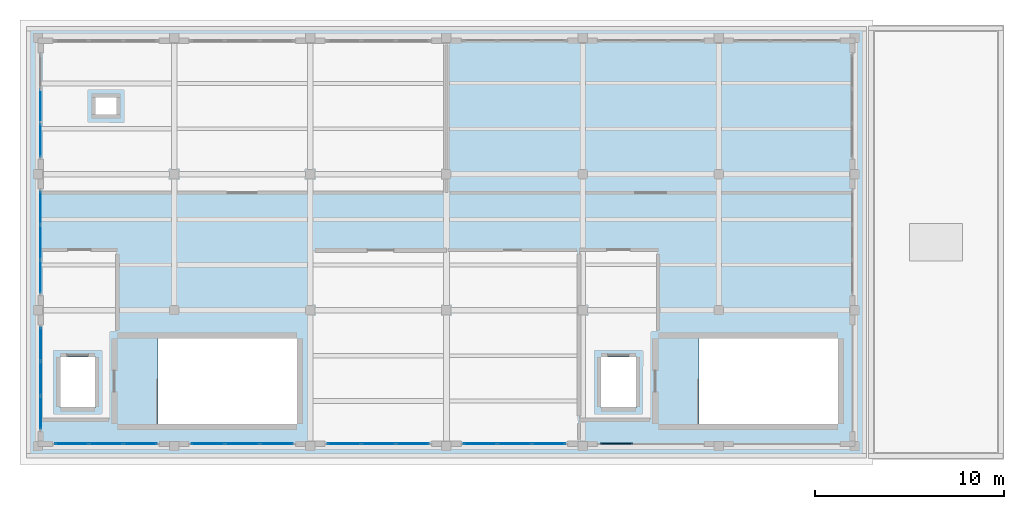
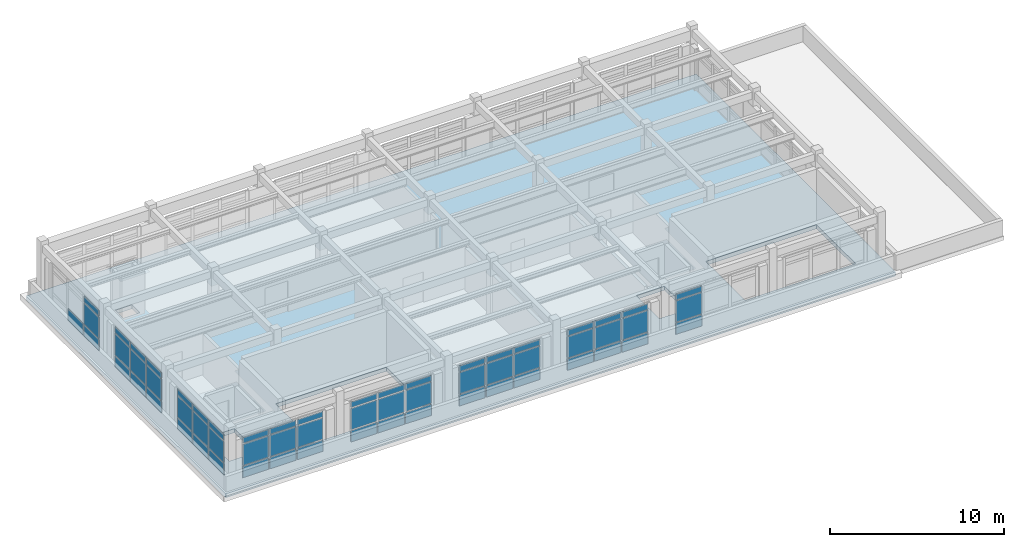
# One storey, part 8 of 12: 61 plates, 1 slab, 8 elements without a shape of their own.
"""IFC4 building model written with IfcOpenShell, lengths in metres."""

from ifc_helpers import new_model, si_unit, direction, frame, origin, origin_2d, place, context, subcontext, project, spatial, polyline, rectangle, outline, extrude, material, layer, layer_set, type_object, element, aggregate, save


model = new_model("IFC4")

# Units and contexts
model_context = context("Model", 3, precision=1e-05, world=origin(), true_north=direction((0.0, 1.0)))
body_context = subcontext(model_context, "Body", "Model", "MODEL_VIEW")
ifc_project = project(units=[si_unit("LENGTHUNIT", "METRE"), si_unit("AREAUNIT", "SQUARE_METRE"), si_unit("VOLUMEUNIT", "CUBIC_METRE"), si_unit("PLANEANGLEUNIT", "RADIAN"), si_unit("MASSUNIT", "GRAM", prefix="KILO")], contexts=[model_context])

# Site, building, storey
site_placement = place(None, origin())
site = spatial("IfcSite", under=ifc_project, at=site_placement, CompositionType="ELEMENT")
building_placement = place(site_placement, origin())
building = spatial("IfcBuilding", under=site, at=building_placement, Name="Solenvale Faculty of Natural Sciences", CompositionType="ELEMENT")
storey_placement = place(building_placement, frame((0.0, 0.0, 52.199951171875)))
storey = spatial("IfcBuildingStorey", under=building, at=storey_placement, Name="RF", CompositionType="ELEMENT", Elevation=52.199951171875)

# Curtain wall, plates
ifc_material_1 = material(Name="Anodised bronze aluminium", Category="aluminium")
ifc_layer_1 = layer(ifc_material_1, 0.179931640625)
ifc_layer_set_1 = layer_set([ifc_layer_1], Name="Anodised bronze aluminium")
curtain_wall_type = type_object("IfcCurtainWallType", Name="CW-TWR-MOD", PredefinedType="USERDEFINED", material=ifc_layer_set_1)
curtain_wall_1_placement = place(storey_placement, origin())
curtain_wall_1 = element("IfcCurtainWall", 1, at=curtain_wall_1_placement, inside=storey, type_object=curtain_wall_type, Name="RF Curtain Wall CW-RF-P1-E3-B1", ObjectType="UNITISED CURTAIN WALL", PredefinedType="USERDEFINED")
ifc_material_2 = material(Name="Triple low-E insulated glass", Category="glass")
ifc_layer_2 = layer(ifc_material_2, 0.031982421875)
ifc_layer_set_2 = layer_set([ifc_layer_2], Name="Triple low-E insulated glass")
plate_type_1 = type_object("IfcPlateType", Name="CWP-PNL-32", PredefinedType="CURTAIN_PANEL", material=ifc_layer_set_2)
plate_1_placement = place(storey_placement, frame((100.9423828125, 111.60009765625, 0.074951171875), z_axis=(0.0, 0.0, 1.0), x_axis=(0.0, -1.0, 0.0)))
plate_1 = element("IfcPlate", 2, at=plate_1_placement, type_object=plate_type_1, Name="CW-04 panel 2.1", PredefinedType="CURTAIN_PANEL", context=body_context, shape_type="SweptSolid", body=[
    extrude(rectangle(XDim=1.75830078125, YDim=0.031982421875, at=origin_2d()), origin(), (0.0, 0.0, 1.0), 0.78759765625),
])
plate_2_placement = place(storey_placement, frame((100.9423828125, 109.785400390625, 0.074951171875), z_axis=(0.0, 0.0, 1.0), x_axis=(0.0, -1.0, 0.0)))
plate_2 = element("IfcPlate", 3, at=plate_2_placement, type_object=plate_type_1, Name="CW-04 panel 3.1", PredefinedType="CURTAIN_PANEL", context=body_context, shape_type="SweptSolid", body=[
    extrude(rectangle(XDim=1.720947265625, YDim=0.031982421875, at=origin_2d()), origin(), (0.0, 0.0, 1.0), 0.78759765625),
])
plate_3_placement = place(storey_placement, frame((100.9423828125, 109.785400390625, 0.9375), z_axis=(0.0, 0.0, 1.0), x_axis=(0.0, -1.0, 0.0)))
plate_3 = element("IfcPlate", 4, at=plate_3_placement, type_object=plate_type_1, Name="CW-04 panel 3.2", PredefinedType="CURTAIN_PANEL", context=body_context, shape_type="SweptSolid", body=[
    extrude(rectangle(XDim=1.720947265625, YDim=0.031982421875, at=origin_2d()), origin(), (0.0, 0.0, 1.0), 1.485107421875),
])
plate_4_placement = place(storey_placement, frame((100.9423828125, 109.785400390625, 2.49755859375), z_axis=(0.0, 0.0, 1.0), x_axis=(0.0, -1.0, 0.0)))
plate_4 = element("IfcPlate", 5, at=plate_4_placement, type_object=plate_type_1, Name="CW-04 panel 3.3", PredefinedType="CURTAIN_PANEL", context=body_context, shape_type="SweptSolid", body=[
    extrude(rectangle(XDim=1.720947265625, YDim=0.031982421875, at=origin_2d()), origin(), (0.0, 0.0, 1.0), 0.387451171875),
])
aggregate(curtain_wall_1, [plate_1, plate_2, plate_3, plate_4])

curtain_wall_2_placement = place(storey_placement, origin())
curtain_wall_2 = element("IfcCurtainWall", 6, at=curtain_wall_2_placement, inside=storey, type_object=curtain_wall_type, Name="RF Curtain Wall CW-RF-P1-E3-B2", ObjectType="UNITISED CURTAIN WALL", PredefinedType="USERDEFINED")
ifc_layer_3 = layer(ifc_material_2, 0.035888671875)
ifc_layer_set_3 = layer_set([ifc_layer_3], Name="Triple low-E insulated glass")
plate_type_2 = type_object("IfcPlateType", Name="CWP-PNL-36", PredefinedType="CURTAIN_PANEL", material=ifc_layer_set_3)
plate_5_placement = place(storey_placement, frame((100.9423828125, 106.214599609375, 0.074951171875), z_axis=(0.0, 0.0, 1.0), x_axis=(0.0, -1.0, 0.0)))
plate_5 = element("IfcPlate", 7, at=plate_5_placement, type_object=plate_type_2, Name="CW-04 panel 1.1", PredefinedType="CURTAIN_PANEL", context=body_context, shape_type="SweptSolid", body=[
    extrude(rectangle(XDim=1.720947265625, YDim=0.035888671875, at=origin_2d()), origin(), (0.0, 0.0, 1.0), 0.78759765625),
])
plate_6_placement = place(storey_placement, frame((100.9423828125, 106.214599609375, 0.9375), z_axis=(0.0, 0.0, 1.0), x_axis=(0.0, -1.0, 0.0)))
plate_6 = element("IfcPlate", 8, at=plate_6_placement, type_object=plate_type_2, Name="CW-04 panel 1.2", PredefinedType="CURTAIN_PANEL", context=body_context, shape_type="SweptSolid", body=[
    extrude(rectangle(XDim=1.720947265625, YDim=0.035888671875, at=origin_2d()), origin(), (0.0, 0.0, 1.0), 1.485107421875),
])
plate_7_placement = place(storey_placement, frame((100.9423828125, 106.214599609375, 2.49755859375), z_axis=(0.0, 0.0, 1.0), x_axis=(0.0, -1.0, 0.0)))
plate_7 = element("IfcPlate", 9, at=plate_7_placement, type_object=plate_type_2, Name="CW-04 panel 1.3", PredefinedType="CURTAIN_PANEL", context=body_context, shape_type="SweptSolid", body=[
    extrude(rectangle(XDim=1.720947265625, YDim=0.035888671875, at=origin_2d()), origin(), (0.0, 0.0, 1.0), 0.387451171875),
])
plate_8_placement = place(storey_placement, frame((100.9423828125, 104.39990234375, 0.074951171875), z_axis=(0.0, 0.0, 1.0), x_axis=(0.0, -1.0, 0.0)))
plate_8 = element("IfcPlate", 10, at=plate_8_placement, type_object=plate_type_2, Name="CW-04 panel 2.1", PredefinedType="CURTAIN_PANEL", context=body_context, shape_type="SweptSolid", body=[
    extrude(rectangle(XDim=1.75830078125, YDim=0.035888671875, at=origin_2d()), origin(), (0.0, 0.0, 1.0), 0.78759765625),
])
plate_9_placement = place(storey_placement, frame((100.9423828125, 104.39990234375, 0.9375), z_axis=(0.0, 0.0, 1.0), x_axis=(0.0, -1.0, 0.0)))
plate_9 = element("IfcPlate", 11, at=plate_9_placement, type_object=plate_type_2, Name="CW-04 panel 2.2", PredefinedType="CURTAIN_PANEL", context=body_context, shape_type="SweptSolid", body=[
    extrude(rectangle(XDim=1.75830078125, YDim=0.035888671875, at=origin_2d()), origin(), (0.0, 0.0, 1.0), 1.485107421875),
])
plate_10_placement = place(storey_placement, frame((100.9423828125, 104.39990234375, 2.49755859375), z_axis=(0.0, 0.0, 1.0), x_axis=(0.0, -1.0, 0.0)))
plate_10 = element("IfcPlate", 12, at=plate_10_placement, type_object=plate_type_2, Name="CW-04 panel 2.3", PredefinedType="CURTAIN_PANEL", context=body_context, shape_type="SweptSolid", body=[
    extrude(rectangle(XDim=1.75830078125, YDim=0.035888671875, at=origin_2d()), origin(), (0.0, 0.0, 1.0), 0.387451171875),
])
plate_11_placement = place(storey_placement, frame((100.9423828125, 102.58544921875, 0.074951171875), z_axis=(0.0, 0.0, 1.0), x_axis=(0.0, -1.0, 0.0)))
plate_11 = element("IfcPlate", 13, at=plate_11_placement, type_object=plate_type_2, Name="CW-04 panel 3.1", PredefinedType="CURTAIN_PANEL", context=body_context, shape_type="SweptSolid", body=[
    extrude(rectangle(XDim=1.720947265625, YDim=0.035888671875, at=origin_2d()), origin(), (0.0, 0.0, 1.0), 0.78759765625),
])
plate_12_placement = place(storey_placement, frame((100.9423828125, 102.58544921875, 0.9375), z_axis=(0.0, 0.0, 1.0), x_axis=(0.0, -1.0, 0.0)))
plate_12 = element("IfcPlate", 14, at=plate_12_placement, type_object=plate_type_2, Name="CW-04 panel 3.2", PredefinedType="CURTAIN_PANEL", context=body_context, shape_type="SweptSolid", body=[
    extrude(rectangle(XDim=1.720947265625, YDim=0.035888671875, at=origin_2d()), origin(), (0.0, 0.0, 1.0), 1.485107421875),
])
plate_13_placement = place(storey_placement, frame((100.9423828125, 102.58544921875, 2.49755859375), z_axis=(0.0, 0.0, 1.0), x_axis=(0.0, -1.0, 0.0)))
plate_13 = element("IfcPlate", 15, at=plate_13_placement, type_object=plate_type_2, Name="CW-04 panel 3.3", PredefinedType="CURTAIN_PANEL", context=body_context, shape_type="SweptSolid", body=[
    extrude(rectangle(XDim=1.720947265625, YDim=0.035888671875, at=origin_2d()), origin(), (0.0, 0.0, 1.0), 0.387451171875),
])
aggregate(curtain_wall_2, [plate_5, plate_6, plate_7, plate_8, plate_9, plate_10, plate_11, plate_12, plate_13])

curtain_wall_3_placement = place(storey_placement, origin())
curtain_wall_3 = element("IfcCurtainWall", 16, at=curtain_wall_3_placement, inside=storey, type_object=curtain_wall_type, Name="RF Curtain Wall CW-RF-P1-E4-B1", ObjectType="UNITISED CURTAIN WALL", PredefinedType="USERDEFINED")
plate_14_placement = place(storey_placement, frame((102.58544921875, 93.742431640625, 0.074951171875), z_axis=(0.0, 0.0, 1.0), x_axis=(1.0, 0.0, 0.0)))
plate_14 = element("IfcPlate", 17, at=plate_14_placement, type_object=plate_type_2, Name="CW-04 panel 1.1", PredefinedType="CURTAIN_PANEL", context=body_context, shape_type="SweptSolid", body=[
    extrude(rectangle(XDim=1.720947265625, YDim=0.035888671875, at=origin_2d()), origin(), (0.0, 0.0, 1.0), 0.78759765625),
])
plate_15_placement = place(storey_placement, frame((102.58544921875, 93.742431640625, 0.9375), z_axis=(0.0, 0.0, 1.0), x_axis=(1.0, 0.0, 0.0)))
plate_15 = element("IfcPlate", 18, at=plate_15_placement, type_object=plate_type_2, Name="CW-04 panel 1.2", PredefinedType="CURTAIN_PANEL", context=body_context, shape_type="SweptSolid", body=[
    extrude(rectangle(XDim=1.720947265625, YDim=0.035888671875, at=origin_2d()), origin(), (0.0, 0.0, 1.0), 1.485107421875),
])
plate_16_placement = place(storey_placement, frame((102.58544921875, 93.742431640625, 2.49755859375), z_axis=(0.0, 0.0, 1.0), x_axis=(1.0, 0.0, 0.0)))
plate_16 = element("IfcPlate", 19, at=plate_16_placement, type_object=plate_type_2, Name="CW-04 panel 1.3", PredefinedType="CURTAIN_PANEL", context=body_context, shape_type="SweptSolid", body=[
    extrude(rectangle(XDim=1.720947265625, YDim=0.035888671875, at=origin_2d()), origin(), (0.0, 0.0, 1.0), 0.387451171875),
])
plate_17_placement = place(storey_placement, frame((104.39990234375, 93.742431640625, 0.074951171875), z_axis=(0.0, 0.0, 1.0), x_axis=(1.0, 0.0, 0.0)))
plate_17 = element("IfcPlate", 20, at=plate_17_placement, type_object=plate_type_2, Name="CW-04 panel 2.1", PredefinedType="CURTAIN_PANEL", context=body_context, shape_type="SweptSolid", body=[
    extrude(rectangle(XDim=1.75830078125, YDim=0.035888671875, at=origin_2d()), origin(), (0.0, 0.0, 1.0), 0.78759765625),
])
plate_18_placement = place(storey_placement, frame((104.39990234375, 93.742431640625, 0.9375), z_axis=(0.0, 0.0, 1.0), x_axis=(1.0, 0.0, 0.0)))
plate_18 = element("IfcPlate", 21, at=plate_18_placement, type_object=plate_type_2, Name="CW-04 panel 2.2", PredefinedType="CURTAIN_PANEL", context=body_context, shape_type="SweptSolid", body=[
    extrude(rectangle(XDim=1.75830078125, YDim=0.035888671875, at=origin_2d()), origin(), (0.0, 0.0, 1.0), 1.485107421875),
])
plate_19_placement = place(storey_placement, frame((104.39990234375, 93.742431640625, 2.49755859375), z_axis=(0.0, 0.0, 1.0), x_axis=(1.0, 0.0, 0.0)))
plate_19 = element("IfcPlate", 22, at=plate_19_placement, type_object=plate_type_2, Name="CW-04 panel 2.3", PredefinedType="CURTAIN_PANEL", context=body_context, shape_type="SweptSolid", body=[
    extrude(rectangle(XDim=1.75830078125, YDim=0.035888671875, at=origin_2d()), origin(), (0.0, 0.0, 1.0), 0.387451171875),
])
plate_20_placement = place(storey_placement, frame((106.214599609375, 93.742431640625, 0.074951171875), z_axis=(0.0, 0.0, 1.0), x_axis=(1.0, 0.0, 0.0)))
plate_20 = element("IfcPlate", 23, at=plate_20_placement, type_object=plate_type_2, Name="CW-04 panel 3.1", PredefinedType="CURTAIN_PANEL", context=body_context, shape_type="SweptSolid", body=[
    extrude(rectangle(XDim=1.720947265625, YDim=0.035888671875, at=origin_2d()), origin(), (0.0, 0.0, 1.0), 0.78759765625),
])
plate_21_placement = place(storey_placement, frame((106.214599609375, 93.742431640625, 0.9375), z_axis=(0.0, 0.0, 1.0), x_axis=(1.0, 0.0, 0.0)))
plate_21 = element("IfcPlate", 24, at=plate_21_placement, type_object=plate_type_2, Name="CW-04 panel 3.2", PredefinedType="CURTAIN_PANEL", context=body_context, shape_type="SweptSolid", body=[
    extrude(rectangle(XDim=1.720947265625, YDim=0.035888671875, at=origin_2d()), origin(), (0.0, 0.0, 1.0), 1.485107421875),
])
plate_22_placement = place(storey_placement, frame((106.214599609375, 93.742431640625, 2.49755859375), z_axis=(0.0, 0.0, 1.0), x_axis=(1.0, 0.0, 0.0)))
plate_22 = element("IfcPlate", 25, at=plate_22_placement, type_object=plate_type_2, Name="CW-04 panel 3.3", PredefinedType="CURTAIN_PANEL", context=body_context, shape_type="SweptSolid", body=[
    extrude(rectangle(XDim=1.720947265625, YDim=0.035888671875, at=origin_2d()), origin(), (0.0, 0.0, 1.0), 0.387451171875),
])
aggregate(curtain_wall_3, [plate_14, plate_15, plate_16, plate_17, plate_18, plate_19, plate_20, plate_21, plate_22])

curtain_wall_4_placement = place(storey_placement, origin())
curtain_wall_4 = element("IfcCurtainWall", 26, at=curtain_wall_4_placement, inside=storey, type_object=curtain_wall_type, Name="RF Curtain Wall CW-RF-P1-E3-B3", ObjectType="UNITISED CURTAIN WALL", PredefinedType="USERDEFINED")
ifc_layer_4 = layer(ifc_material_2, 0.0400390625)
ifc_layer_set_4 = layer_set([ifc_layer_4], Name="Triple low-E insulated glass")
plate_type_3 = type_object("IfcPlateType", Name="CWP-PNL-40", PredefinedType="CURTAIN_PANEL", material=ifc_layer_set_4)
plate_23_placement = place(storey_placement, frame((100.9423828125, 99.0146484375, 0.074951171875), z_axis=(0.0, 0.0, 1.0), x_axis=(0.0, -1.0, 0.0)))
plate_23 = element("IfcPlate", 27, at=plate_23_placement, type_object=plate_type_3, Name="CW-04 panel 1.1", PredefinedType="CURTAIN_PANEL", context=body_context, shape_type="SweptSolid", body=[
    extrude(rectangle(XDim=1.720947265625, YDim=0.0400390625, at=origin_2d()), origin(), (0.0, 0.0, 1.0), 0.78759765625),
])
plate_24_placement = place(storey_placement, frame((100.9423828125, 99.0146484375, 0.9375), z_axis=(0.0, 0.0, 1.0), x_axis=(0.0, -1.0, 0.0)))
plate_24 = element("IfcPlate", 28, at=plate_24_placement, type_object=plate_type_3, Name="CW-04 panel 1.2", PredefinedType="CURTAIN_PANEL", context=body_context, shape_type="SweptSolid", body=[
    extrude(rectangle(XDim=1.720947265625, YDim=0.0400390625, at=origin_2d()), origin(), (0.0, 0.0, 1.0), 1.485107421875),
])
plate_25_placement = place(storey_placement, frame((100.9423828125, 99.0146484375, 2.49755859375), z_axis=(0.0, 0.0, 1.0), x_axis=(0.0, -1.0, 0.0)))
plate_25 = element("IfcPlate", 29, at=plate_25_placement, type_object=plate_type_3, Name="CW-04 panel 1.3", PredefinedType="CURTAIN_PANEL", context=body_context, shape_type="SweptSolid", body=[
    extrude(rectangle(XDim=1.720947265625, YDim=0.0400390625, at=origin_2d()), origin(), (0.0, 0.0, 1.0), 0.387451171875),
])
plate_26_placement = place(storey_placement, frame((100.9423828125, 97.199951171875, 0.074951171875), z_axis=(0.0, 0.0, 1.0), x_axis=(0.0, -1.0, 0.0)))
plate_26 = element("IfcPlate", 30, at=plate_26_placement, type_object=plate_type_3, Name="CW-04 panel 2.1", PredefinedType="CURTAIN_PANEL", context=body_context, shape_type="SweptSolid", body=[
    extrude(rectangle(XDim=1.75830078125, YDim=0.0400390625, at=origin_2d()), origin(), (0.0, 0.0, 1.0), 0.78759765625),
])
plate_27_placement = place(storey_placement, frame((100.9423828125, 97.199951171875, 0.9375), z_axis=(0.0, 0.0, 1.0), x_axis=(0.0, -1.0, 0.0)))
plate_27 = element("IfcPlate", 31, at=plate_27_placement, type_object=plate_type_3, Name="CW-04 panel 2.2", PredefinedType="CURTAIN_PANEL", context=body_context, shape_type="SweptSolid", body=[
    extrude(rectangle(XDim=1.75830078125, YDim=0.0400390625, at=origin_2d()), origin(), (0.0, 0.0, 1.0), 1.485107421875),
])
plate_28_placement = place(storey_placement, frame((100.9423828125, 97.199951171875, 2.49755859375), z_axis=(0.0, 0.0, 1.0), x_axis=(0.0, -1.0, 0.0)))
plate_28 = element("IfcPlate", 32, at=plate_28_placement, type_object=plate_type_3, Name="CW-04 panel 2.3", PredefinedType="CURTAIN_PANEL", context=body_context, shape_type="SweptSolid", body=[
    extrude(rectangle(XDim=1.75830078125, YDim=0.0400390625, at=origin_2d()), origin(), (0.0, 0.0, 1.0), 0.387451171875),
])
plate_29_placement = place(storey_placement, frame((100.9423828125, 95.385498046875, 0.074951171875), z_axis=(0.0, 0.0, 1.0), x_axis=(0.0, -1.0, 0.0)))
plate_29 = element("IfcPlate", 33, at=plate_29_placement, type_object=plate_type_3, Name="CW-04 panel 3.1", PredefinedType="CURTAIN_PANEL", context=body_context, shape_type="SweptSolid", body=[
    extrude(rectangle(XDim=1.720947265625, YDim=0.0400390625, at=origin_2d()), origin(), (0.0, 0.0, 1.0), 0.78759765625),
])
plate_30_placement = place(storey_placement, frame((100.9423828125, 95.385498046875, 0.9375), z_axis=(0.0, 0.0, 1.0), x_axis=(0.0, -1.0, 0.0)))
plate_30 = element("IfcPlate", 34, at=plate_30_placement, type_object=plate_type_3, Name="CW-04 panel 3.2", PredefinedType="CURTAIN_PANEL", context=body_context, shape_type="SweptSolid", body=[
    extrude(rectangle(XDim=1.720947265625, YDim=0.0400390625, at=origin_2d()), origin(), (0.0, 0.0, 1.0), 1.485107421875),
])
plate_31_placement = place(storey_placement, frame((100.9423828125, 95.385498046875, 2.49755859375), z_axis=(0.0, 0.0, 1.0), x_axis=(0.0, -1.0, 0.0)))
plate_31 = element("IfcPlate", 35, at=plate_31_placement, type_object=plate_type_3, Name="CW-04 panel 3.3", PredefinedType="CURTAIN_PANEL", context=body_context, shape_type="SweptSolid", body=[
    extrude(rectangle(XDim=1.720947265625, YDim=0.0400390625, at=origin_2d()), origin(), (0.0, 0.0, 1.0), 0.387451171875),
])
aggregate(curtain_wall_4, [plate_23, plate_24, plate_25, plate_26, plate_27, plate_28, plate_29, plate_30, plate_31])

curtain_wall_5_placement = place(storey_placement, origin())
curtain_wall_5 = element("IfcCurtainWall", 36, at=curtain_wall_5_placement, inside=storey, type_object=curtain_wall_type, Name="RF Curtain Wall CW-RF-P1-E4-B2", ObjectType="UNITISED CURTAIN WALL", PredefinedType="USERDEFINED")
plate_32_placement = place(storey_placement, frame((109.785400390625, 93.742431640625, 0.074951171875), z_axis=(0.0, 0.0, 1.0), x_axis=(1.0, 0.0, 0.0)))
plate_32 = element("IfcPlate", 37, at=plate_32_placement, type_object=plate_type_3, Name="CW-04 panel 1.1", PredefinedType="CURTAIN_PANEL", context=body_context, shape_type="SweptSolid", body=[
    extrude(rectangle(XDim=1.720947265625, YDim=0.0400390625, at=origin_2d()), origin(), (0.0, 0.0, 1.0), 0.78759765625),
])
plate_33_placement = place(storey_placement, frame((109.785400390625, 93.742431640625, 0.9375), z_axis=(0.0, 0.0, 1.0), x_axis=(1.0, 0.0, 0.0)))
plate_33 = element("IfcPlate", 38, at=plate_33_placement, type_object=plate_type_3, Name="CW-04 panel 1.2", PredefinedType="CURTAIN_PANEL", context=body_context, shape_type="SweptSolid", body=[
    extrude(rectangle(XDim=1.720947265625, YDim=0.0400390625, at=origin_2d()), origin(), (0.0, 0.0, 1.0), 1.485107421875),
])
plate_34_placement = place(storey_placement, frame((109.785400390625, 93.742431640625, 2.49755859375), z_axis=(0.0, 0.0, 1.0), x_axis=(1.0, 0.0, 0.0)))
plate_34 = element("IfcPlate", 39, at=plate_34_placement, type_object=plate_type_3, Name="CW-04 panel 1.3", PredefinedType="CURTAIN_PANEL", context=body_context, shape_type="SweptSolid", body=[
    extrude(rectangle(XDim=1.720947265625, YDim=0.0400390625, at=origin_2d()), origin(), (0.0, 0.0, 1.0), 0.387451171875),
])
plate_35_placement = place(storey_placement, frame((111.60009765625, 93.742431640625, 0.074951171875), z_axis=(0.0, 0.0, 1.0), x_axis=(1.0, 0.0, 0.0)))
plate_35 = element("IfcPlate", 40, at=plate_35_placement, type_object=plate_type_3, Name="CW-04 panel 2.1", PredefinedType="CURTAIN_PANEL", context=body_context, shape_type="SweptSolid", body=[
    extrude(rectangle(XDim=1.75830078125, YDim=0.0400390625, at=origin_2d()), origin(), (0.0, 0.0, 1.0), 0.78759765625),
])
plate_36_placement = place(storey_placement, frame((111.60009765625, 93.742431640625, 0.9375), z_axis=(0.0, 0.0, 1.0), x_axis=(1.0, 0.0, 0.0)))
plate_36 = element("IfcPlate", 41, at=plate_36_placement, type_object=plate_type_3, Name="CW-04 panel 2.2", PredefinedType="CURTAIN_PANEL", context=body_context, shape_type="SweptSolid", body=[
    extrude(rectangle(XDim=1.75830078125, YDim=0.0400390625, at=origin_2d()), origin(), (0.0, 0.0, 1.0), 1.485107421875),
])
plate_37_placement = place(storey_placement, frame((111.60009765625, 93.742431640625, 2.49755859375), z_axis=(0.0, 0.0, 1.0), x_axis=(1.0, 0.0, 0.0)))
plate_37 = element("IfcPlate", 42, at=plate_37_placement, type_object=plate_type_3, Name="CW-04 panel 2.3", PredefinedType="CURTAIN_PANEL", context=body_context, shape_type="SweptSolid", body=[
    extrude(rectangle(XDim=1.75830078125, YDim=0.0400390625, at=origin_2d()), origin(), (0.0, 0.0, 1.0), 0.387451171875),
])
plate_38_placement = place(storey_placement, frame((113.41455078125, 93.742431640625, 0.074951171875), z_axis=(0.0, 0.0, 1.0), x_axis=(1.0, 0.0, 0.0)))
plate_38 = element("IfcPlate", 43, at=plate_38_placement, type_object=plate_type_3, Name="CW-04 panel 3.1", PredefinedType="CURTAIN_PANEL", context=body_context, shape_type="SweptSolid", body=[
    extrude(rectangle(XDim=1.720947265625, YDim=0.0400390625, at=origin_2d()), origin(), (0.0, 0.0, 1.0), 0.78759765625),
])
plate_39_placement = place(storey_placement, frame((113.41455078125, 93.742431640625, 0.9375), z_axis=(0.0, 0.0, 1.0), x_axis=(1.0, 0.0, 0.0)))
plate_39 = element("IfcPlate", 44, at=plate_39_placement, type_object=plate_type_3, Name="CW-04 panel 3.2", PredefinedType="CURTAIN_PANEL", context=body_context, shape_type="SweptSolid", body=[
    extrude(rectangle(XDim=1.720947265625, YDim=0.0400390625, at=origin_2d()), origin(), (0.0, 0.0, 1.0), 1.485107421875),
])
plate_40_placement = place(storey_placement, frame((113.41455078125, 93.742431640625, 2.49755859375), z_axis=(0.0, 0.0, 1.0), x_axis=(1.0, 0.0, 0.0)))
plate_40 = element("IfcPlate", 45, at=plate_40_placement, type_object=plate_type_3, Name="CW-04 panel 3.3", PredefinedType="CURTAIN_PANEL", context=body_context, shape_type="SweptSolid", body=[
    extrude(rectangle(XDim=1.720947265625, YDim=0.0400390625, at=origin_2d()), origin(), (0.0, 0.0, 1.0), 0.387451171875),
])
aggregate(curtain_wall_5, [plate_32, plate_33, plate_34, plate_35, plate_36, plate_37, plate_38, plate_39, plate_40])

curtain_wall_6_placement = place(storey_placement, origin())
curtain_wall_6 = element("IfcCurtainWall", 46, at=curtain_wall_6_placement, inside=storey, type_object=curtain_wall_type, Name="RF Curtain Wall CW-RF-P1-E4-B3", ObjectType="UNITISED CURTAIN WALL", PredefinedType="USERDEFINED")
ifc_layer_5 = layer(ifc_material_2, 0.0439453125)
ifc_layer_set_5 = layer_set([ifc_layer_5], Name="Triple low-E insulated glass")
plate_type_4 = type_object("IfcPlateType", Name="CWP-PNL-44", PredefinedType="CURTAIN_PANEL", material=ifc_layer_set_5)
plate_41_placement = place(storey_placement, frame((116.9853515625, 93.742431640625, 0.074951171875), z_axis=(0.0, 0.0, 1.0), x_axis=(1.0, 0.0, 0.0)))
plate_41 = element("IfcPlate", 47, at=plate_41_placement, type_object=plate_type_4, Name="CW-04 panel 1.1", PredefinedType="CURTAIN_PANEL", context=body_context, shape_type="SweptSolid", body=[
    extrude(rectangle(XDim=1.720947265625, YDim=0.0439453125, at=origin_2d()), origin(), (0.0, 0.0, 1.0), 0.78759765625),
])
plate_42_placement = place(storey_placement, frame((116.9853515625, 93.742431640625, 0.9375), z_axis=(0.0, 0.0, 1.0), x_axis=(1.0, 0.0, 0.0)))
plate_42 = element("IfcPlate", 48, at=plate_42_placement, type_object=plate_type_4, Name="CW-04 panel 1.2", PredefinedType="CURTAIN_PANEL", context=body_context, shape_type="SweptSolid", body=[
    extrude(rectangle(XDim=1.720947265625, YDim=0.0439453125, at=origin_2d()), origin(), (0.0, 0.0, 1.0), 1.485107421875),
])
plate_43_placement = place(storey_placement, frame((116.9853515625, 93.742431640625, 2.49755859375), z_axis=(0.0, 0.0, 1.0), x_axis=(1.0, 0.0, 0.0)))
plate_43 = element("IfcPlate", 49, at=plate_43_placement, type_object=plate_type_4, Name="CW-04 panel 1.3", PredefinedType="CURTAIN_PANEL", context=body_context, shape_type="SweptSolid", body=[
    extrude(rectangle(XDim=1.720947265625, YDim=0.0439453125, at=origin_2d()), origin(), (0.0, 0.0, 1.0), 0.387451171875),
])
plate_44_placement = place(storey_placement, frame((118.800048828125, 93.742431640625, 0.074951171875), z_axis=(0.0, 0.0, 1.0), x_axis=(1.0, 0.0, 0.0)))
plate_44 = element("IfcPlate", 50, at=plate_44_placement, type_object=plate_type_4, Name="CW-04 panel 2.1", PredefinedType="CURTAIN_PANEL", context=body_context, shape_type="SweptSolid", body=[
    extrude(rectangle(XDim=1.75830078125, YDim=0.0439453125, at=origin_2d()), origin(), (0.0, 0.0, 1.0), 0.78759765625),
])
plate_45_placement = place(storey_placement, frame((118.800048828125, 93.742431640625, 0.9375), z_axis=(0.0, 0.0, 1.0), x_axis=(1.0, 0.0, 0.0)))
plate_45 = element("IfcPlate", 51, at=plate_45_placement, type_object=plate_type_4, Name="CW-04 panel 2.2", PredefinedType="CURTAIN_PANEL", context=body_context, shape_type="SweptSolid", body=[
    extrude(rectangle(XDim=1.75830078125, YDim=0.0439453125, at=origin_2d()), origin(), (0.0, 0.0, 1.0), 1.485107421875),
])
plate_46_placement = place(storey_placement, frame((118.800048828125, 93.742431640625, 2.49755859375), z_axis=(0.0, 0.0, 1.0), x_axis=(1.0, 0.0, 0.0)))
plate_46 = element("IfcPlate", 52, at=plate_46_placement, type_object=plate_type_4, Name="CW-04 panel 2.3", PredefinedType="CURTAIN_PANEL", context=body_context, shape_type="SweptSolid", body=[
    extrude(rectangle(XDim=1.75830078125, YDim=0.0439453125, at=origin_2d()), origin(), (0.0, 0.0, 1.0), 0.387451171875),
])
plate_47_placement = place(storey_placement, frame((120.614501953125, 93.742431640625, 0.074951171875), z_axis=(0.0, 0.0, 1.0), x_axis=(1.0, 0.0, 0.0)))
plate_47 = element("IfcPlate", 53, at=plate_47_placement, type_object=plate_type_4, Name="CW-04 panel 3.1", PredefinedType="CURTAIN_PANEL", context=body_context, shape_type="SweptSolid", body=[
    extrude(rectangle(XDim=1.720947265625, YDim=0.0439453125, at=origin_2d()), origin(), (0.0, 0.0, 1.0), 0.78759765625),
])
plate_48_placement = place(storey_placement, frame((120.614501953125, 93.742431640625, 0.9375), z_axis=(0.0, 0.0, 1.0), x_axis=(1.0, 0.0, 0.0)))
plate_48 = element("IfcPlate", 54, at=plate_48_placement, type_object=plate_type_4, Name="CW-04 panel 3.2", PredefinedType="CURTAIN_PANEL", context=body_context, shape_type="SweptSolid", body=[
    extrude(rectangle(XDim=1.720947265625, YDim=0.0439453125, at=origin_2d()), origin(), (0.0, 0.0, 1.0), 1.485107421875),
])
plate_49_placement = place(storey_placement, frame((120.614501953125, 93.742431640625, 2.49755859375), z_axis=(0.0, 0.0, 1.0), x_axis=(1.0, 0.0, 0.0)))
plate_49 = element("IfcPlate", 55, at=plate_49_placement, type_object=plate_type_4, Name="CW-04 panel 3.3", PredefinedType="CURTAIN_PANEL", context=body_context, shape_type="SweptSolid", body=[
    extrude(rectangle(XDim=1.720947265625, YDim=0.0439453125, at=origin_2d()), origin(), (0.0, 0.0, 1.0), 0.387451171875),
])
aggregate(curtain_wall_6, [plate_41, plate_42, plate_43, plate_44, plate_45, plate_46, plate_47, plate_48, plate_49])

curtain_wall_7_placement = place(storey_placement, origin())
curtain_wall_7 = element("IfcCurtainWall", 56, at=curtain_wall_7_placement, inside=storey, type_object=curtain_wall_type, Name="RF Curtain Wall CW-RF-P1-E4-B4", ObjectType="UNITISED CURTAIN WALL", PredefinedType="USERDEFINED")
ifc_layer_6 = layer(ifc_material_1, 0.048095703125)
ifc_layer_set_6 = layer_set([ifc_layer_6], Name="Anodised bronze aluminium")
plate_type_5 = type_object("IfcPlateType", Name="CWP-PNL-48", PredefinedType="CURTAIN_PANEL", material=ifc_layer_set_6)
plate_50_placement = place(storey_placement, frame((124.185302734375, 93.742431640625, 0.074951171875), z_axis=(0.0, 0.0, 1.0), x_axis=(1.0, 0.0, 0.0)))
plate_50 = element("IfcPlate", 57, at=plate_50_placement, type_object=plate_type_5, Name="CW-04 panel 1.1", PredefinedType="CURTAIN_PANEL", context=body_context, shape_type="SweptSolid", body=[
    extrude(rectangle(XDim=1.720947265625, YDim=0.048095703125, at=origin_2d()), origin(), (0.0, 0.0, 1.0), 0.78759765625),
])
plate_51_placement = place(storey_placement, frame((124.185302734375, 93.742431640625, 0.9375), z_axis=(0.0, 0.0, 1.0), x_axis=(1.0, 0.0, 0.0)))
plate_51 = element("IfcPlate", 58, at=plate_51_placement, type_object=plate_type_5, Name="CW-04 panel 1.2", PredefinedType="CURTAIN_PANEL", context=body_context, shape_type="SweptSolid", body=[
    extrude(rectangle(XDim=1.720947265625, YDim=0.048095703125, at=origin_2d()), origin(), (0.0, 0.0, 1.0), 1.485107421875),
])
plate_52_placement = place(storey_placement, frame((124.185302734375, 93.742431640625, 2.49755859375), z_axis=(0.0, 0.0, 1.0), x_axis=(1.0, 0.0, 0.0)))
plate_52 = element("IfcPlate", 59, at=plate_52_placement, type_object=plate_type_5, Name="CW-04 panel 1.3", PredefinedType="CURTAIN_PANEL", context=body_context, shape_type="SweptSolid", body=[
    extrude(rectangle(XDim=1.720947265625, YDim=0.048095703125, at=origin_2d()), origin(), (0.0, 0.0, 1.0), 0.387451171875),
])
plate_53_placement = place(storey_placement, frame((126.0, 93.742431640625, 0.074951171875), z_axis=(0.0, 0.0, 1.0), x_axis=(1.0, 0.0, 0.0)))
plate_53 = element("IfcPlate", 60, at=plate_53_placement, type_object=plate_type_5, Name="CW-04 panel 2.1", PredefinedType="CURTAIN_PANEL", context=body_context, shape_type="SweptSolid", body=[
    extrude(rectangle(XDim=1.75830078125, YDim=0.048095703125, at=origin_2d()), origin(), (0.0, 0.0, 1.0), 0.78759765625),
])
plate_54_placement = place(storey_placement, frame((126.0, 93.742431640625, 0.9375), z_axis=(0.0, 0.0, 1.0), x_axis=(1.0, 0.0, 0.0)))
plate_54 = element("IfcPlate", 61, at=plate_54_placement, type_object=plate_type_5, Name="CW-04 panel 2.2", PredefinedType="CURTAIN_PANEL", context=body_context, shape_type="SweptSolid", body=[
    extrude(rectangle(XDim=1.75830078125, YDim=0.048095703125, at=origin_2d()), origin(), (0.0, 0.0, 1.0), 1.485107421875),
])
plate_55_placement = place(storey_placement, frame((126.0, 93.742431640625, 2.49755859375), z_axis=(0.0, 0.0, 1.0), x_axis=(1.0, 0.0, 0.0)))
plate_55 = element("IfcPlate", 62, at=plate_55_placement, type_object=plate_type_5, Name="CW-04 panel 2.3", PredefinedType="CURTAIN_PANEL", context=body_context, shape_type="SweptSolid", body=[
    extrude(rectangle(XDim=1.75830078125, YDim=0.048095703125, at=origin_2d()), origin(), (0.0, 0.0, 1.0), 0.387451171875),
])
plate_56_placement = place(storey_placement, frame((127.814697265625, 93.742431640625, 0.074951171875), z_axis=(0.0, 0.0, 1.0), x_axis=(1.0, 0.0, 0.0)))
plate_56 = element("IfcPlate", 63, at=plate_56_placement, type_object=plate_type_5, Name="CW-04 panel 3.1", PredefinedType="CURTAIN_PANEL", context=body_context, shape_type="SweptSolid", body=[
    extrude(rectangle(XDim=1.720947265625, YDim=0.048095703125, at=origin_2d()), origin(), (0.0, 0.0, 1.0), 0.78759765625),
])
plate_57_placement = place(storey_placement, frame((127.814697265625, 93.742431640625, 0.9375), z_axis=(0.0, 0.0, 1.0), x_axis=(1.0, 0.0, 0.0)))
plate_57 = element("IfcPlate", 64, at=plate_57_placement, type_object=plate_type_5, Name="CW-04 panel 3.2", PredefinedType="CURTAIN_PANEL", context=body_context, shape_type="SweptSolid", body=[
    extrude(rectangle(XDim=1.720947265625, YDim=0.048095703125, at=origin_2d()), origin(), (0.0, 0.0, 1.0), 1.485107421875),
])
plate_58_placement = place(storey_placement, frame((127.814697265625, 93.742431640625, 2.49755859375), z_axis=(0.0, 0.0, 1.0), x_axis=(1.0, 0.0, 0.0)))
plate_58 = element("IfcPlate", 65, at=plate_58_placement, type_object=plate_type_5, Name="CW-04 panel 3.3", PredefinedType="CURTAIN_PANEL", context=body_context, shape_type="SweptSolid", body=[
    extrude(rectangle(XDim=1.720947265625, YDim=0.048095703125, at=origin_2d()), origin(), (0.0, 0.0, 1.0), 0.387451171875),
])
aggregate(curtain_wall_7, [plate_50, plate_51, plate_52, plate_53, plate_54, plate_55, plate_56, plate_57, plate_58])

curtain_wall_8_placement = place(storey_placement, origin())
curtain_wall_8 = element("IfcCurtainWall", 66, at=curtain_wall_8_placement, inside=storey, type_object=curtain_wall_type, Name="RF Curtain Wall CW-RF-P1-E4-B5", ObjectType="UNITISED CURTAIN WALL", PredefinedType="USERDEFINED")
ifc_layer_7 = layer(ifc_material_1, 0.053955078125)
ifc_layer_set_7 = layer_set([ifc_layer_7], Name="Anodised bronze aluminium")
plate_type_6 = type_object("IfcPlateType", Name="CWP-PNL-54", PredefinedType="CURTAIN_PANEL", material=ifc_layer_set_7)
plate_59_placement = place(storey_placement, frame((131.385498046875, 93.742431640625, 0.074951171875), z_axis=(0.0, 0.0, 1.0), x_axis=(1.0, 0.0, 0.0)))
plate_59 = element("IfcPlate", 67, at=plate_59_placement, type_object=plate_type_6, Name="CW-04 panel 1.1", PredefinedType="CURTAIN_PANEL", context=body_context, shape_type="SweptSolid", body=[
    extrude(rectangle(XDim=1.720947265625, YDim=0.053955078125, at=origin_2d()), origin(), (0.0, 0.0, 1.0), 0.78759765625),
])
plate_60_placement = place(storey_placement, frame((131.385498046875, 93.742431640625, 0.9375), z_axis=(0.0, 0.0, 1.0), x_axis=(1.0, 0.0, 0.0)))
plate_60 = element("IfcPlate", 68, at=plate_60_placement, type_object=plate_type_6, Name="CW-04 panel 1.2", PredefinedType="CURTAIN_PANEL", context=body_context, shape_type="SweptSolid", body=[
    extrude(rectangle(XDim=1.720947265625, YDim=0.053955078125, at=origin_2d()), origin(), (0.0, 0.0, 1.0), 1.485107421875),
])
plate_61_placement = place(storey_placement, frame((131.385498046875, 93.742431640625, 2.49755859375), z_axis=(0.0, 0.0, 1.0), x_axis=(1.0, 0.0, 0.0)))
plate_61 = element("IfcPlate", 69, at=plate_61_placement, type_object=plate_type_6, Name="CW-04 panel 1.3", PredefinedType="CURTAIN_PANEL", context=body_context, shape_type="SweptSolid", body=[
    extrude(rectangle(XDim=1.720947265625, YDim=0.053955078125, at=origin_2d()), origin(), (0.0, 0.0, 1.0), 0.387451171875),
])
aggregate(curtain_wall_8, [plate_59, plate_60, plate_61])

# Slab
ifc_material_3 = material(Name="Concrete 40 MPa", Category="concrete")
ifc_layer_8 = layer(ifc_material_3, 0.280029296875)
ifc_layer_set_8 = layer_set([ifc_layer_8], Name="Concrete 40 MPa")
slab_type = type_object("IfcSlabType", Name="SL-FLR-280", PredefinedType="FLOOR", material=ifc_layer_set_8)
slab_placement = place(storey_placement, frame((0.0, 0.0, -0.280029296875)))
element("IfcSlab", 70, at=slab_placement, inside=storey, type_object=slab_type, Name="RF V5 Floor Slab 1.1", PredefinedType="FLOOR", context=body_context, shape_type="SweptSolid", body=[
    extrude(outline(polyline([(144.655029296875, 115.8798828125), (144.672607421875, 115.872802734375), (144.679931640625, 115.85498046875), (144.679931640625, 92.945068359375), (144.666748046875, 92.923095703125), (100.14501953125, 92.919921875), (100.123046875, 92.93310546875), (100.1201171875, 115.85498046875), (100.13330078125, 115.876953125), (144.655029296875, 115.8798828125)]), holes=[polyline([(135.739990234375, 94.800048828125), (143.10009765625, 94.800048828125), (143.10009765625, 99.300048828125), (135.739990234375, 99.300048828125), (135.739990234375, 94.800048828125)]), polyline([(130.56005859375, 95.66064453125), (132.43994140625, 95.659912109375), (132.43994140625, 98.340087890625), (130.56005859375, 98.340087890625), (130.56005859375, 95.66064453125)]), polyline([(107.139892578125, 94.800048828125), (114.5, 94.800048828125), (114.5, 99.300048828125), (107.139892578125, 99.300048828125), (107.139892578125, 94.800048828125)]), polyline([(103.85009765625, 111.14990234375), (104.949951171875, 111.14990234375), (104.949951171875, 112.050048828125), (103.85009765625, 112.050048828125), (103.85009765625, 111.14990234375)]), polyline([(101.9599609375, 95.66064453125), (103.840087890625, 95.659912109375), (103.840087890625, 98.340087890625), (101.9599609375, 98.340087890625), (101.9599609375, 95.66064453125)])]), origin(), (0.0, 0.0, 1.0), 0.280029296875),
])

save(model, "model.ifc")
